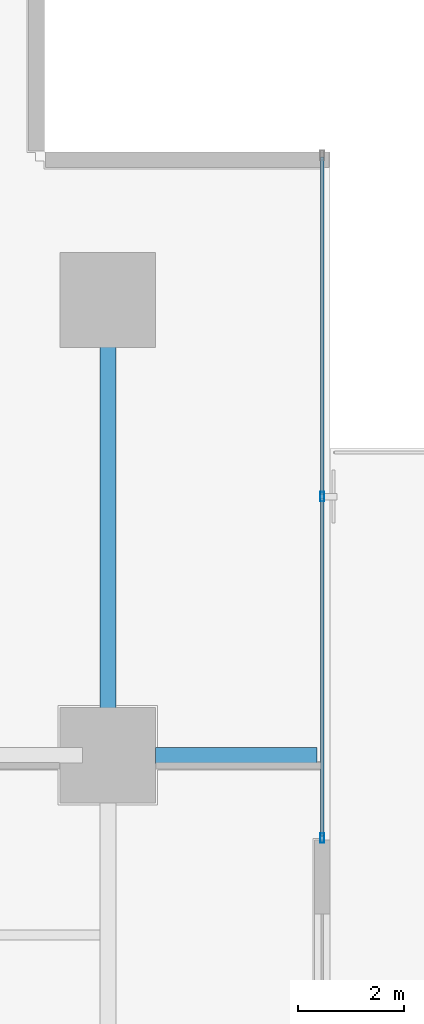
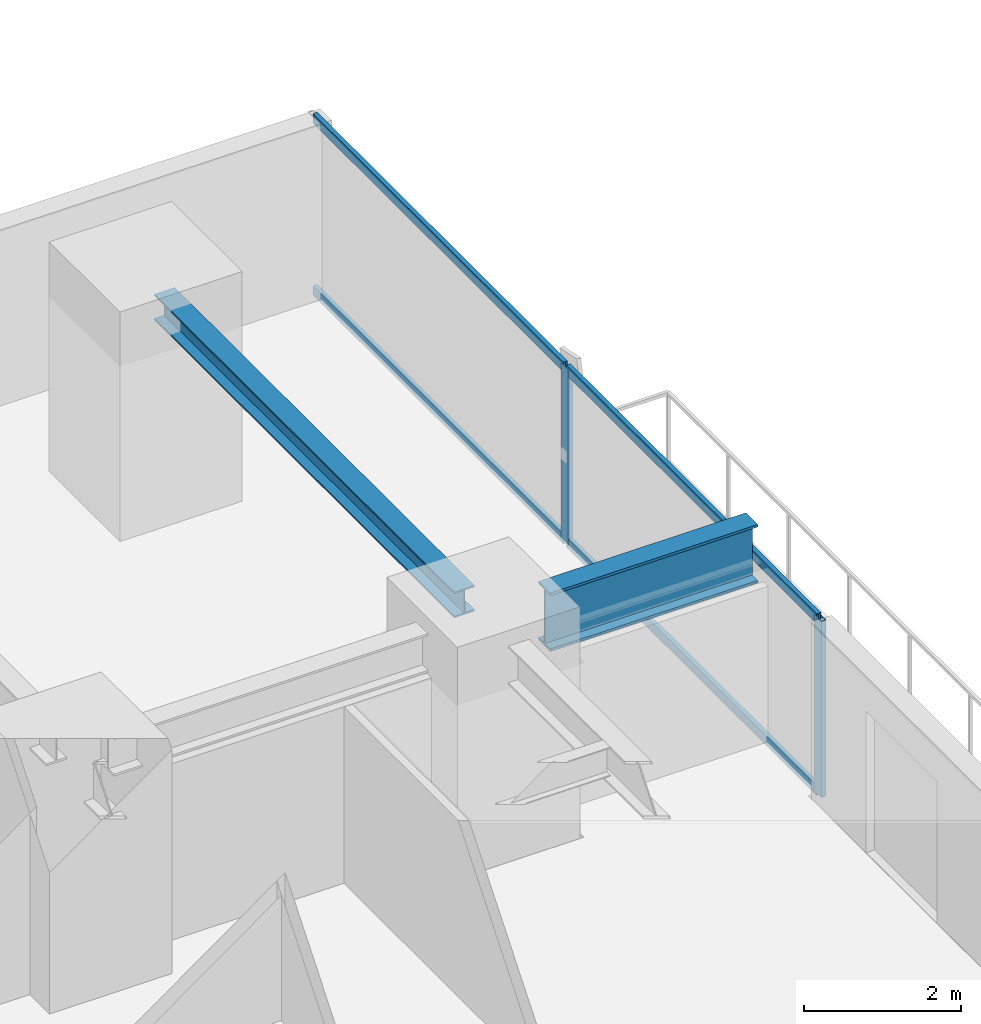
# One storey, part 21 of 33: 6 members, 2 beams, 1 element without a shape of its own.
"""IFC4 building model written with IfcOpenShell, lengths in metres."""

from ifc_helpers import new_model, si_unit, direction, frame, origin, origin_2d, place, context, subcontext, project, spatial, hollow_rectangle, i_section, extrude, source, transform, mapped, material, layer, layer_set, material_profile, profile_set, type_object, element, aggregate, save


model = new_model("IFC4")

# Units and contexts
model_context = context("Model", 3, precision=1e-05, world=origin(), true_north=direction((0.0, 1.0)))
body_context = subcontext(model_context, "Body", "Model", "MODEL_VIEW")
ifc_project = project(units=[si_unit("LENGTHUNIT", "METRE"), si_unit("AREAUNIT", "SQUARE_METRE"), si_unit("VOLUMEUNIT", "CUBIC_METRE"), si_unit("PLANEANGLEUNIT", "RADIAN"), si_unit("MASSUNIT", "GRAM", prefix="KILO")], contexts=[model_context])

# Site, building, storey
site_placement = place(None, origin())
site = spatial("IfcSite", under=ifc_project, at=site_placement, CompositionType="ELEMENT")
building_placement = place(site_placement, origin())
building = spatial("IfcBuilding", under=site, at=building_placement, Name="Sumidabori Civic Tower", CompositionType="ELEMENT")
storey_placement = place(building_placement, frame((0.0, 0.0, 23.60009765625)))
storey = spatial("IfcBuildingStorey", under=building, at=storey_placement, Name="L05", CompositionType="ELEMENT", Elevation=23.60009765625)

# Beams
ifc_material_1 = material(Name="Steel SN490", Category="steel")
ifc_material_profile_1 = material_profile(ifc_material_1, i_section(OverallWidth=0.300048828125, OverallDepth=0.39990234375, WebThickness=0.013427734375, FlangeThickness=0.02392578125, at=origin_2d()), Name="HE 400 B")
ifc_profile_set_1 = profile_set([ifc_material_profile_1], Name="Steel SN490")
beam_type_1 = type_object("IfcBeamType", Name="BM-GIRD-400", PredefinedType="BEAM", material=ifc_profile_set_1)
shared_shape_1 = source(origin(), body_context, "Body", "SweptSolid", [
    extrude(i_section(OverallWidth=0.300048828125, OverallDepth=0.39990234375, WebThickness=0.013427734375, FlangeThickness=0.02392578125, at=origin_2d()), origin(), (0.0, 0.0, 1.0), 7.64013671875),
])
beam_1_placement = place(storey_placement, frame((22.800048828125, 10.679931640625, 3.159912109375), z_axis=(0.0, 1.0, 0.0), x_axis=(-1.0, 0.0, 0.0)))
element("IfcBeam", 1, at=beam_1_placement, inside=storey, type_object=beam_type_1, Name="Primary Girder L05 GY-42", PredefinedType="BEAM", context=body_context, shape_type="MappedRepresentation", body=[
    mapped(shared_shape_1, transform((0.0, 0.0, 0.0), x_axis=(1.0, 0.0, 0.0), y_axis=(0.0, 1.0, 0.0), z_axis=(0.0, 0.0, 1.0), scale=1.0)),
])
ifc_material_profile_2 = material_profile(ifc_material_1, i_section(OverallWidth=0.302001953125, OverallDepth=0.909912109375, WebThickness=0.02099609375, FlangeThickness=0.0400390625, at=origin_2d()), Name="HE 900 M")
ifc_profile_set_2 = profile_set([ifc_material_profile_2], Name="Steel SN490")
beam_type_2 = type_object("IfcBeamType", Name="BM-Z1-EDGE", PredefinedType="SPANDREL", material=ifc_profile_set_2)
shared_shape_2 = source(origin(), body_context, "Body", "SweptSolid", [
    extrude(i_section(OverallWidth=0.302001953125, OverallDepth=0.909912109375, WebThickness=0.02099609375, FlangeThickness=0.0400390625, at=origin_2d()), origin(), (0.0, 0.0, 1.0), 3.050048828125),
])
beam_2_placement = place(storey_placement, frame((23.699951171875, 10.199951171875, 2.90478515625), z_axis=(1.0, 0.0, 0.0), x_axis=(0.0, 1.0, 0.0)))
element("IfcBeam", 2, at=beam_2_placement, inside=storey, type_object=beam_type_2, Name="Perimeter Overhang Beam L05 E-47", PredefinedType="SPANDREL", context=body_context, shape_type="MappedRepresentation", body=[
    mapped(shared_shape_2, transform((0.0, 0.0, 0.0), x_axis=(1.0, 0.0, 0.0), y_axis=(0.0, 1.0, 0.0), z_axis=(0.0, 0.0, 1.0), scale=1.0)),
])

# Curtain wall, members
ifc_material_2 = material(Name="Anodised Bronze Aluminium AW-6063-T6", Category="aluminium")
ifc_layer = layer(ifc_material_2, 0.179931640625, Name="Anodised Bronze Aluminium AW-6063-T6")
ifc_layer_set = layer_set([ifc_layer], Name="Anodised Bronze Aluminium AW-6063-T6")
curtain_wall_type = type_object("IfcCurtainWallType", Name="CW-SYS-2", PredefinedType="NOTDEFINED", material=ifc_layer_set)
curtain_wall_placement = place(storey_placement, origin())
curtain_wall = element("IfcCurtainWall", 3, at=curtain_wall_placement, inside=storey, type_object=curtain_wall_type, Name="Curtain Wall CW:L05:R05", PredefinedType="NOTDEFINED")
ifc_material_profile_3 = material_profile(ifc_material_2, hollow_rectangle(XDim=0.070068359375, YDim=0.179931640625, WallThickness=0.006103515625, at=origin_2d()), Name="ALU MULLION 180x70")
ifc_profile_set_3 = profile_set([ifc_material_profile_3], Name="Anodised Bronze Aluminium AW-6063-T6")
member_type_1 = type_object("IfcMemberType", Name="CW-MUL-180", PredefinedType="MULLION", material=ifc_profile_set_3)
shared_shape_3 = source(origin(), body_context, "Body", "SweptSolid", [
    extrude(hollow_rectangle(XDim=0.070068359375, YDim=0.179931640625, WallThickness=0.006103515625, at=origin_2d()), origin(), (0.0, 0.0, 1.0), 2.739990234375),
])
member_1_placement = place(storey_placement, frame((26.85009765625, 8.635009765625, 0.0), z_axis=(0.0, 0.0, 1.0), x_axis=(-1.0, 0.0, 0.0)))
member_1 = element("IfcMember", 4, at=member_1_placement, type_object=member_type_1, Name="CW-2 mullion 1", PredefinedType="MULLION", context=body_context, shape_type="MappedRepresentation", body=[
    mapped(shared_shape_3, transform((0.0, 0.0, 0.0), x_axis=(1.0, 0.0, 0.0), y_axis=(0.0, 1.0, 0.0), z_axis=(0.0, 0.0, 1.0), scale=1.0)),
])
member_2_placement = place(storey_placement, frame((26.85009765625, 15.0849609375, 0.0), z_axis=(0.0, 0.0, 1.0), x_axis=(-1.0, 0.0, 0.0)))
member_2 = element("IfcMember", 5, at=member_2_placement, type_object=member_type_1, Name="CW-2 mullion 2", PredefinedType="MULLION", context=body_context, shape_type="MappedRepresentation", body=[
    mapped(shared_shape_3, transform((0.0, 0.0, 0.0), x_axis=(1.0, 0.0, 0.0), y_axis=(0.0, 1.0, 0.0), z_axis=(0.0, 0.0, 1.0), scale=1.0)),
])
ifc_material_profile_4 = material_profile(ifc_material_2, hollow_rectangle(XDim=0.06494140625, YDim=0.14990234375, WallThickness=0.0048828125, at=origin_2d()), Name="ALU TRANSOM 150x65")
ifc_profile_set_4 = profile_set([ifc_material_profile_4], Name="Anodised Bronze Aluminium AW-6063-T6")
member_type_2 = type_object("IfcMemberType", Name="CW-TRN-150", PredefinedType="USERDEFINED", material=ifc_profile_set_4)
shared_shape_4 = source(origin(), body_context, "Body", "SweptSolid", [
    extrude(hollow_rectangle(XDim=0.06494140625, YDim=0.14990234375, WallThickness=0.0048828125, at=origin_2d()), origin(), (0.0, 0.0, 1.0), 6.380126953125),
])
member_3_placement = place(storey_placement, frame((26.85009765625, 8.669921875, 0.032470703125), z_axis=(0.0, 1.0, 0.0), x_axis=(-1.0, 0.0, 0.0)))
member_3 = element("IfcMember", 6, at=member_3_placement, type_object=member_type_2, Name="CW-2 transom 1.1", ObjectType="TRANSOM", PredefinedType="USERDEFINED", context=body_context, shape_type="MappedRepresentation", body=[
    mapped(shared_shape_4, transform((0.0, 0.0, 0.0), x_axis=(1.0, 0.0, 0.0), y_axis=(0.0, 1.0, 0.0), z_axis=(0.0, 0.0, 1.0), scale=1.0)),
])
member_4_placement = place(storey_placement, frame((26.85009765625, 8.669921875, 2.70751953125), z_axis=(0.0, 1.0, 0.0), x_axis=(-1.0, 0.0, 0.0)))
member_4 = element("IfcMember", 7, at=member_4_placement, type_object=member_type_2, Name="CW-2 transom 1.2", ObjectType="TRANSOM", PredefinedType="USERDEFINED", context=body_context, shape_type="MappedRepresentation", body=[
    mapped(shared_shape_4, transform((0.0, 0.0, 0.0), x_axis=(1.0, 0.0, 0.0), y_axis=(0.0, 1.0, 0.0), z_axis=(0.0, 0.0, 1.0), scale=1.0)),
])
shared_shape_5 = source(origin(), body_context, "Body", "SweptSolid", [
    extrude(hollow_rectangle(XDim=0.06494140625, YDim=0.14990234375, WallThickness=0.0048828125, at=origin_2d()), origin(), (0.0, 0.0, 1.0), 6.3798828125),
])
member_5_placement = place(storey_placement, frame((26.85009765625, 15.1201171875, 0.032470703125), z_axis=(0.0, 1.0, 0.0), x_axis=(-1.0, 0.0, 0.0)))
member_5 = element("IfcMember", 8, at=member_5_placement, type_object=member_type_2, Name="CW-2 transom 2.1", ObjectType="TRANSOM", PredefinedType="USERDEFINED", context=body_context, shape_type="MappedRepresentation", body=[
    mapped(shared_shape_5, transform((0.0, 0.0, 0.0), x_axis=(1.0, 0.0, 0.0), y_axis=(0.0, 1.0, 0.0), z_axis=(0.0, 0.0, 1.0), scale=1.0)),
])
member_6_placement = place(storey_placement, frame((26.85009765625, 15.1201171875, 2.70751953125), z_axis=(0.0, 1.0, 0.0), x_axis=(-1.0, 0.0, 0.0)))
member_6 = element("IfcMember", 9, at=member_6_placement, type_object=member_type_2, Name="CW-2 transom 2.2", ObjectType="TRANSOM", PredefinedType="USERDEFINED", context=body_context, shape_type="MappedRepresentation", body=[
    mapped(shared_shape_5, transform((0.0, 0.0, 0.0), x_axis=(1.0, 0.0, 0.0), y_axis=(0.0, 1.0, 0.0), z_axis=(0.0, 0.0, 1.0), scale=1.0)),
])
aggregate(curtain_wall, [member_1, member_2, member_3, member_4, member_5, member_6])

save(model, "model.ifc")
